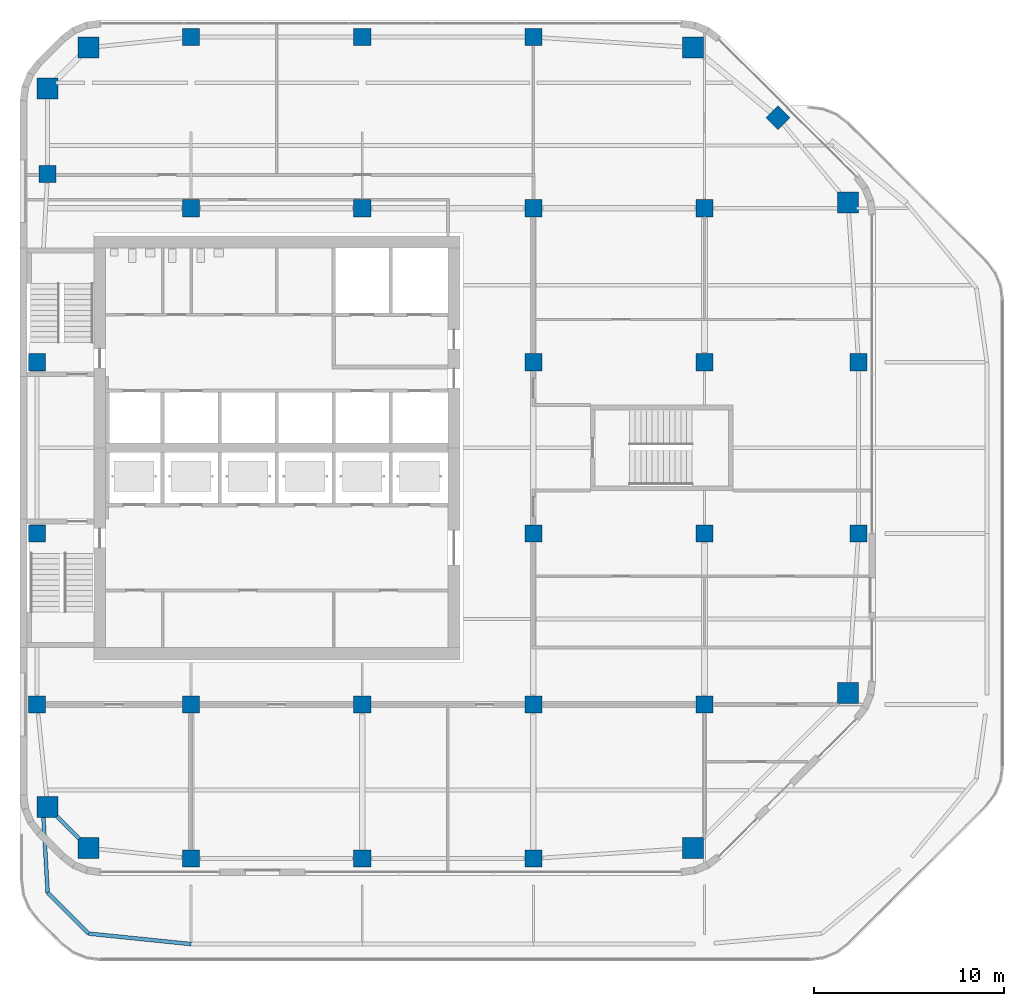
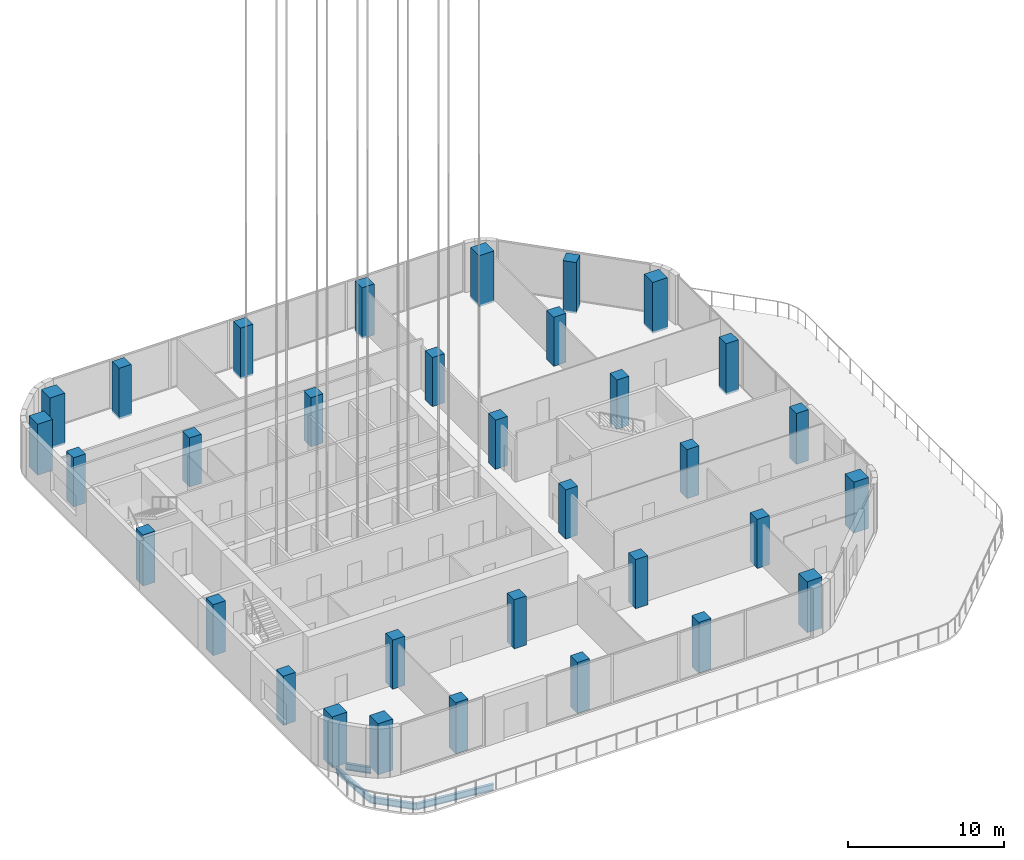
# One storey, part 1 of 29: 33 columns, 4 beams.
"""IFC4 building model written with IfcOpenShell, lengths in metres."""

import ifcopenshell
import ifcopenshell.guid

model = None  # the IFC model being written
_history = None  # IfcOwnerHistory: only IFC2X3 demands one
_inside = {}  # id of a spatial element -> (the spatial element, [elements in it])
_under = {}  # id of a project, library or spatial element -> (it, [spatial elements below it])
_declared = {}  # id of a project -> (the project, [libraries it declares])
_typed = {}  # id of a type object -> (the type object, [elements of that type])
_made_of = {}  # id of a material, layer set ... -> (it, [elements and type objects made of it])


def new_model(schema):
    """Start an empty IFC model of exactly this schema.

    Asked for "IFC4X3", IfcOpenShell would pick the latest addendum, in which some entities
    have other attributes; the version numbers below select the first issue.
    IFC2X3 requires an IfcOwnerHistory on every rooted entity: one is made here for all.
    """
    global model, _history
    if schema == "IFC4X3":
        model = ifcopenshell.file(schema_version=(4, 3, 0, 0))
    else:
        model = ifcopenshell.file(schema=schema)
    _inside.clear()
    _under.clear()
    _declared.clear()
    _typed.clear()
    _made_of.clear()
    _history = None
    if model.schema == "IFC2X3":
        org = make("IfcOrganization", Name="unknown")
        user = make(
            "IfcPersonAndOrganization",
            ThePerson=make("IfcPerson", FamilyName="unknown"),
            TheOrganization=org,
        )
        app = make(
            "IfcApplication",
            ApplicationDeveloper=org,
            Version="unknown",
            ApplicationFullName="unknown",
            ApplicationIdentifier="unknown",
        )
        _history = make(
            "IfcOwnerHistory",
            OwningUser=user,
            OwningApplication=app,
            ChangeAction="ADDED",
            CreationDate=0,
        )
    return model


def make(cls, **values):
    """One entity of the class cls with the attributes given. An attribute that is None is left unset."""
    return model.create_entity(
        cls, **{name: value for name, value in values.items() if value is not None}
    )


def rooted(cls, **values):
    """An entity with a GlobalId (a new one), such as an element, a storey or a relation."""
    return make(cls, GlobalId=ifcopenshell.guid.new(), OwnerHistory=_history, **values)


def si_unit(unit_type, name, prefix=None):
    """IfcSIUnit, for example si_unit("LENGTHUNIT", "METRE", prefix="MILLI")."""
    return make("IfcSIUnit", UnitType=unit_type, Prefix=prefix, Name=name)


def assignment(units):
    """IfcUnitAssignment: the units of a project."""
    return None if units is None else make("IfcUnitAssignment", Units=units)


def point(xyz):
    """IfcCartesianPoint."""
    return None if xyz is None else make("IfcCartesianPoint", Coordinates=xyz)


def direction(xyz):
    """IfcDirection."""
    return None if xyz is None else make("IfcDirection", DirectionRatios=xyz)


def frame(location, z_axis=None, x_axis=None):
    """IfcAxis2Placement3D, a coordinate frame: its origin and axes. An axis left out is left unset."""
    return make(
        "IfcAxis2Placement3D",
        Location=point(location),
        Axis=direction(z_axis),
        RefDirection=direction(x_axis),
    )


def frame_2d(location, x_axis=None):
    """IfcAxis2Placement2D, a coordinate frame in the plane: its origin and x axis."""
    return make(
        "IfcAxis2Placement2D", Location=point(location), RefDirection=direction(x_axis)
    )


def origin():
    """The frame at (0, 0, 0) with its axes left unset."""
    return frame((0.0, 0.0, 0.0))


def origin_2d():
    """The frame at (0, 0) in the plane with its x axis left unset."""
    return frame_2d((0.0, 0.0))


def place(relative_to, where):
    """IfcLocalPlacement: puts the frame where relative to a parent placement (None: the world)."""
    return make(
        "IfcLocalPlacement", PlacementRelTo=relative_to, RelativePlacement=where
    )


def context(
    kind, dimensions, precision=None, world=None, true_north=None, identifier=None
):
    """IfcGeometricRepresentationContext, for example the 3D "Model" context."""
    return make(
        "IfcGeometricRepresentationContext",
        ContextIdentifier=identifier,
        ContextType=kind,
        CoordinateSpaceDimension=dimensions,
        Precision=precision,
        WorldCoordinateSystem=world,
        TrueNorth=true_north,
    )


def subcontext(parent, identifier, kind, view, scale=None):
    """IfcGeometricRepresentationSubContext, for example "Body" below "Model"."""
    return make(
        "IfcGeometricRepresentationSubContext",
        ContextIdentifier=identifier,
        ContextType=kind,
        ParentContext=parent,
        TargetScale=scale,
        TargetView=view,
    )


def project(units=None, contexts=None):
    """IfcProject with its units and contexts."""
    return rooted(
        "IfcProject",
        Name="project",
        RepresentationContexts=contexts,
        UnitsInContext=assignment(units),
    )


def spatial(cls, under=None, at=None, **own):
    """A site, building, storey or space (cls), placed at a placement, below another one or the project."""
    s = rooted(cls, ObjectPlacement=at, **own)
    if under is not None:
        _under.setdefault(under.id(), (under, []))[1].append(s)
    return s


def profile(cls, at=None, kind="AREA", **sizes):
    """A parametric profile (cls). Its sizes go by their IFC names, for example OverallWidth=200.0."""
    return make(cls, ProfileType=kind, Position=at, **sizes)


def rectangle(**sizes):
    """IfcRectangleProfileDef."""
    return profile("IfcRectangleProfileDef", **sizes)


def i_section(**sizes):
    """IfcIShapeProfileDef."""
    return profile("IfcIShapeProfileDef", **sizes)


def extrude(swept, where, along, depth):
    """IfcExtrudedAreaSolid: the profile swept, set in the frame where, extruded along a direction by depth."""
    return make(
        "IfcExtrudedAreaSolid",
        SweptArea=swept,
        Position=where,
        ExtrudedDirection=direction(along),
        Depth=depth,
    )


def shape(context_of_items, identifier, shape_type, items):
    """IfcShapeRepresentation: the items that make up one representation, for example the "Body"."""
    return make(
        "IfcShapeRepresentation",
        ContextOfItems=context_of_items,
        RepresentationIdentifier=identifier,
        RepresentationType=shape_type,
        Items=items,
    )


def material(Name=None, Category=None):
    """IfcMaterial."""
    return make("IfcMaterial", Name=Name, Category=Category)


def material_profile(
    of_material, cross_section, Name=None, Category=None, Priority=None
):
    """IfcMaterialProfile: a cross section and its material."""
    return make(
        "IfcMaterialProfile",
        Name=Name,
        Material=of_material,
        Profile=cross_section,
        Priority=Priority,
        Category=Category,
    )


def profile_set(profiles, Name=None, composite=None):
    """IfcMaterialProfileSet."""
    return make(
        "IfcMaterialProfileSet",
        Name=Name,
        MaterialProfiles=profiles,
        CompositeProfile=composite,
    )


def made_of(thing, what):
    """Note that an element or type object is made of a material, layer set ...; save() writes the relation."""
    if what is not None:
        _made_of.setdefault(what.id(), (what, []))[1].append(thing)
    return thing


def type_object(cls, material=None, **own):
    """A type object (cls), such as IfcWallType, which elements share."""
    return made_of(rooted(cls, **own), material)


def element(
    cls,
    number,
    at=None,
    inside=None,
    cuts=None,
    type_object=None,
    material=None,
    context=None,
    identifier="Body",
    shape_type=None,
    held_by="IfcProductDefinitionShape",
    body=None,
    shapes=None,
    **own,
):
    """One element of the class cls, such as IfcWall. Its Tag is "e" and its number.

    at: its placement. inside: the storey or other place that contains it. cuts: it is an
    opening in that element (IfcRelVoidsElement). A single representation is given by context,
    identifier, shape_type and body (its items); several are given by shapes. held_by: the class
    of the entity that holds the representations. save() writes the other relations.
    """
    e = rooted(cls, Tag="e%d" % number, ObjectPlacement=at, **own)
    if body is not None:
        shapes = [shape(context, identifier, shape_type, body)]
    if shapes is not None:
        e.Representation = make(held_by, Representations=shapes)
    if inside is not None:
        _inside.setdefault(inside.id(), (inside, []))[1].append(e)
    if cuts is not None:
        rooted(
            "IfcRelVoidsElement", RelatingBuildingElement=cuts, RelatedOpeningElement=e
        )
    if type_object is not None:
        _typed.setdefault(type_object.id(), (type_object, []))[1].append(e)
    return made_of(e, material)


def aggregate(whole, parts):
    """IfcRelAggregates: a whole, such as a stair, and the parts it consists of."""
    return rooted("IfcRelAggregates", RelatingObject=whole, RelatedObjects=parts)


def save(model, path):
    """Write the relations noted so far, then the file.

    IfcRelAggregates (storeys below a building ...), IfcRelContainedInSpatialStructure (elements
    in a storey), IfcRelDefinesByType, IfcRelAssociatesMaterial and IfcRelDeclares: one each for
    every whole, place, type object, material and project.
    """
    for whole, parts in _under.values():
        aggregate(whole, parts)
    for where, things in _inside.values():
        rooted(
            "IfcRelContainedInSpatialStructure",
            RelatedElements=things,
            RelatingStructure=where,
        )
    for kind, things in _typed.values():
        rooted("IfcRelDefinesByType", RelatedObjects=things, RelatingType=kind)
    for what, things in _made_of.values():
        rooted("IfcRelAssociatesMaterial", RelatedObjects=things, RelatingMaterial=what)
    for by, libraries in _declared.values():
        rooted("IfcRelDeclares", RelatingContext=by, RelatedDefinitions=libraries)
    model.write(path)


model = new_model("IFC4")

# Units and contexts
model_context = context("Model", 3, precision=1e-05, world=origin(), true_north=direction((0.0, 1.0)))
body_context = subcontext(model_context, "Body", "Model", "MODEL_VIEW")
ifc_project = project(units=[si_unit("LENGTHUNIT", "METRE"), si_unit("AREAUNIT", "SQUARE_METRE"), si_unit("VOLUMEUNIT", "CUBIC_METRE"), si_unit("PLANEANGLEUNIT", "RADIAN"), si_unit("MASSUNIT", "GRAM", prefix="KILO")], contexts=[model_context])

# Site, building, storey
site_placement = place(None, origin())
site = spatial("IfcSite", under=ifc_project, at=site_placement, CompositionType="ELEMENT")
building_placement = place(site_placement, origin())
building = spatial("IfcBuilding", under=site, at=building_placement, Name="Cinnabar Reach Civic Tower", CompositionType="ELEMENT")
storey_placement = place(building_placement, frame((0.0, 0.0, 149.0)))
storey = spatial("IfcBuildingStorey", under=building, at=storey_placement, Name="L35", CompositionType="ELEMENT", Elevation=149.0)

# Columns
ifc_material_1 = material(Name="Concrete C80", Category="concrete")
ifc_material_profile_1 = material_profile(ifc_material_1, rectangle(XDim=1.1, YDim=1.1, at=origin_2d()), Name="RC1100")
ifc_profile_set_1 = profile_set([ifc_material_profile_1], Name="Concrete C80")
column_type_1 = type_object("IfcColumnType", Name="RC1100 column R 240", PredefinedType="COLUMN", material=ifc_profile_set_1)
for number, where, z_axis, x_axis, name in (
    (1, (3.6019, 10.4531, -0.15), (0.0, 0.0, 1.0), (1.0, 0.0, 0.0), "Column T1-Z3-CC0"),
    (2, (35.3981, 10.4531, -0.15), (0.0, 0.0, 1.0), (1.0, 0.0, 0.0), "Column T1-Z3-CC1"),
    (3, (43.5469, 18.6019, -0.15), (0.0, 0.0, 1.0), (1.0, 0.0, 0.0), "Column T1-Z3-CC2"),
    (4, (43.5469, 44.3981, -0.15), (0.0, 0.0, 1.0), (1.0, 0.0, 0.0), "Column T1-Z3-CC3"),
    (5, (35.3981, 52.5469, -0.15), (0.0, 0.0, 1.0), (1.0, 0.0, 0.0), "Column T1-Z3-CC4"),
    (6, (3.6019, 52.5469, -0.15), (0.0, 0.0, 1.0), (1.0, 0.0, 0.0), "Column T1-Z3-CC5"),
    (7, (1.4531, 50.3981, -0.15), (0.0, 0.0, 1.0), (1.0, 0.0, 0.0), "Column T1-Z3-CC6"),
    (8, (1.4531, 12.6019, -0.15), (0.0, 0.0, 1.0), (1.0, 0.0, 0.0), "Column T1-Z3-CC7"),
):
    element("IfcColumn", number, at=place(storey_placement, frame(where, z_axis=z_axis, x_axis=x_axis)), inside=storey, type_object=column_type_1, Name=name, PredefinedType="COLUMN", context=body_context, shape_type="SweptSolid", body=[
        extrude(rectangle(XDim=1.1, YDim=1.1, at=origin_2d()), origin(), (0.0, 0.0, 1.0), 4.0),
    ])
ifc_material_2 = material(Name="Concrete C70", Category="concrete")
ifc_material_profile_2 = material_profile(ifc_material_2, rectangle(XDim=0.9, YDim=0.9, at=origin_2d()), Name="RC900")
ifc_profile_set_2 = profile_set([ifc_material_profile_2], Name="Concrete C70")
column_type_2 = type_object("IfcColumnType", Name="RC900 column R 240", PredefinedType="COLUMN", material=ifc_profile_set_2)
for number, where, z_axis, x_axis, name in (
    (9, (9.0, 9.9, -0.15), (0.0, 0.0, 1.0), (1.0, 0.0, 0.0), "Column T1-Z3-F0-1"),
    (10, (18.0, 9.9, -0.15), (0.0, 0.0, 1.0), (1.0, 0.0, 0.0), "Column T1-Z3-F0-2"),
    (11, (27.0, 9.9, -0.15), (0.0, 0.0, 1.0), (1.0, 0.0, 0.0), "Column T1-Z3-F0-3"),
    (12, (44.1, 27.0, -0.15), (0.0, 0.0, 1.0), (1.0, 0.0, 0.0), "Column T1-Z3-F2-3"),
    (13, (44.1, 36.0, -0.15), (0.0, 0.0, 1.0), (1.0, 0.0, 0.0), "Column T1-Z3-F2-4"),
    (14, (39.8636, 48.8636, -0.15), (0.0, 0.0, 1.0), (0.707106781187, 0.707106781187, 0.0), "Column T1-Z3-F3-M"),
    (15, (9.0, 53.1, -0.15), (0.0, 0.0, 1.0), (1.0, 0.0, 0.0), "Column T1-Z3-F4-1"),
    (16, (18.0, 53.1, -0.15), (0.0, 0.0, 1.0), (1.0, 0.0, 0.0), "Column T1-Z3-F4-2"),
    (17, (27.0, 53.1, -0.15), (0.0, 0.0, 1.0), (1.0, 0.0, 0.0), "Column T1-Z3-F4-3"),
):
    element("IfcColumn", number, at=place(storey_placement, frame(where, z_axis=z_axis, x_axis=x_axis)), inside=storey, type_object=column_type_2, Name=name, PredefinedType="COLUMN", context=body_context, shape_type="SweptSolid", body=[
        extrude(rectangle(XDim=0.9, YDim=0.9, at=origin_2d()), origin(), (0.0, 0.0, 1.0), 4.0),
    ])
column_placement = place(storey_placement, frame((0.9, 18.0, 0.0), z_axis=(0.0, 0.0, 1.0), x_axis=(1.0, 0.0, 0.0)))
element("IfcColumn", 18, at=column_placement, inside=storey, type_object=column_type_2, Name="Column T1-Z3-F6-2", PredefinedType="COLUMN", context=body_context, shape_type="SweptSolid", body=[
    extrude(rectangle(XDim=0.9, YDim=0.9, at=origin_2d()), origin(), (0.0, 0.0, 1.0), 3.85),
])
for number, where, z_axis, x_axis, name in (
    (19, (0.9, 27.0, 0.0), (0.0, 0.0, 1.0), (1.0, 0.0, 0.0), "Column T1-Z3-F6-3"),
    (20, (0.9, 36.0, 0.0), (0.0, 0.0, 1.0), (1.0, 0.0, 0.0), "Column T1-Z3-F6-4"),
):
    element("IfcColumn", number, at=place(storey_placement, frame(where, z_axis=z_axis, x_axis=x_axis)), inside=storey, type_object=column_type_2, Name=name, PredefinedType="COLUMN", context=body_context, shape_type="SweptSolid", body=[
        extrude(rectangle(XDim=0.9, YDim=0.9, at=origin_2d()), origin(), (0.0, 0.0, 1.0), 4.0),
    ])
for number, where, z_axis, x_axis, name in (
    (21, (1.4531, 45.8981, 0.0), (0.0, 0.0, 1.0), (1.0, 0.0, 0.0), "Column T1-Z3-F6-5"),
    (22, (9.0, 18.0, 0.0), (0.0, 0.0, 1.0), (1.0, 0.0, 0.0), "Column T1-Z3-I9_18"),
    (23, (9.0, 44.1, 0.0), (0.0, 0.0, 1.0), (1.0, 0.0, 0.0), "Column T1-Z3-I9_45"),
    (24, (18.0, 18.0, 0.0), (0.0, 0.0, 1.0), (1.0, 0.0, 0.0), "Column T1-Z3-I18_18"),
    (25, (18.0, 44.1, 0.0), (0.0, 0.0, 1.0), (1.0, 0.0, 0.0), "Column T1-Z3-I18_45"),
    (26, (27.0, 18.0, 0.0), (0.0, 0.0, 1.0), (1.0, 0.0, 0.0), "Column T1-Z3-I27_18"),
    (27, (27.0, 27.0, 0.0), (0.0, 0.0, 1.0), (1.0, 0.0, 0.0), "Column T1-Z3-I27_27"),
    (28, (27.0, 36.0, 0.0), (0.0, 0.0, 1.0), (1.0, 0.0, 0.0), "Column T1-Z3-I27_36"),
    (29, (27.0, 44.1, 0.0), (0.0, 0.0, 1.0), (1.0, 0.0, 0.0), "Column T1-Z3-I27_45"),
    (30, (36.0, 18.0, 0.0), (0.0, 0.0, 1.0), (1.0, 0.0, 0.0), "Column T1-Z3-I36_18"),
    (31, (36.0, 27.0, 0.0), (0.0, 0.0, 1.0), (1.0, 0.0, 0.0), "Column T1-Z3-I36_27"),
    (32, (36.0, 36.0, 0.0), (0.0, 0.0, 1.0), (1.0, 0.0, 0.0), "Column T1-Z3-I36_36"),
    (33, (36.0, 44.1, 0.0), (0.0, 0.0, 1.0), (1.0, 0.0, 0.0), "Column T1-Z3-I36_45"),
):
    element("IfcColumn", number, at=place(storey_placement, frame(where, z_axis=z_axis, x_axis=x_axis)), inside=storey, type_object=column_type_2, Name=name, PredefinedType="COLUMN", context=body_context, shape_type="SweptSolid", body=[
        extrude(rectangle(XDim=0.9, YDim=0.9, at=origin_2d()), origin(), (0.0, 0.0, 1.0), 3.85),
    ])

# Beams
ifc_material_3 = material(Name="Steel Q355B", Category="steel")
ifc_material_profile_3 = material_profile(ifc_material_3, i_section(OverallWidth=0.2, OverallDepth=0.5, WebThickness=0.01, FlangeThickness=0.016, FilletRadius=0.016, at=origin_2d()), Name="HN500x200x10x16")
ifc_profile_set_3 = profile_set([ifc_material_profile_3], Name="Steel Q355B")
beam_type = type_object("IfcBeamType", Name="HN500x200x10x16 beam R 180", PredefinedType="BEAM", material=ifc_profile_set_3)
beam_1_placement = place(storey_placement, frame((1.9351, 12.1199, -0.4), z_axis=(0.707106781187, -0.707106781187, 0.0), x_axis=(0.707106781187, 0.707106781187, 0.0)))
element("IfcBeam", 34, at=beam_1_placement, inside=storey, type_object=beam_type, Name="Edge beam T1 L35 21", PredefinedType="BEAM", context=body_context, shape_type="SweptSolid", body=[
    extrude(i_section(OverallWidth=0.2, OverallDepth=0.5, WebThickness=0.01, FlangeThickness=0.016, FilletRadius=0.016, at=origin_2d()), origin(), (0.0, 0.0, 1.0), 1.6756),
])
beam_2_placement = place(storey_placement, frame((3.6019, 5.9531, -0.4), z_axis=(0.994791744888, -0.101928329245, 0.0), x_axis=(0.101928329245, 0.994791744888, 0.0)))
element("IfcBeam", 35, at=beam_2_placement, inside=storey, type_object=beam_type, Name="Edge beam T1 L35 22", PredefinedType="BEAM", context=body_context, shape_type="SweptSolid", body=[
    extrude(i_section(OverallWidth=0.2, OverallDepth=0.5, WebThickness=0.01, FlangeThickness=0.016, FilletRadius=0.016, at=origin_2d()), origin(), (0.0, 0.0, 1.0), 5.4264),
])
beam_3_placement = place(storey_placement, frame((1.2286, 12.1199, -0.4), z_axis=(0.055786558004, -0.998442717409, 0.0), x_axis=(0.998442717409, 0.055786558004, 0.0)))
element("IfcBeam", 36, at=beam_3_placement, inside=storey, type_object=beam_type, Name="Edge beam T1 L35 35", PredefinedType="BEAM", context=body_context, shape_type="SweptSolid", body=[
    extrude(i_section(OverallWidth=0.2, OverallDepth=0.5, WebThickness=0.01, FlangeThickness=0.016, FilletRadius=0.016, at=origin_2d()), origin(), (0.0, 0.0, 1.0), 4.0243),
])
beam_4_placement = place(storey_placement, frame((1.4531, 8.1019, -0.4), z_axis=(0.707106781187, -0.707106781187, 0.0), x_axis=(0.707106781187, 0.707106781187, 0.0)))
element("IfcBeam", 37, at=beam_4_placement, inside=storey, type_object=beam_type, Name="Edge beam T1 L35 36", PredefinedType="BEAM", context=body_context, shape_type="SweptSolid", body=[
    extrude(i_section(OverallWidth=0.2, OverallDepth=0.5, WebThickness=0.01, FlangeThickness=0.016, FilletRadius=0.016, at=origin_2d()), origin(), (0.0, 0.0, 1.0), 3.0389),
])

save(model, "model.ifc")
